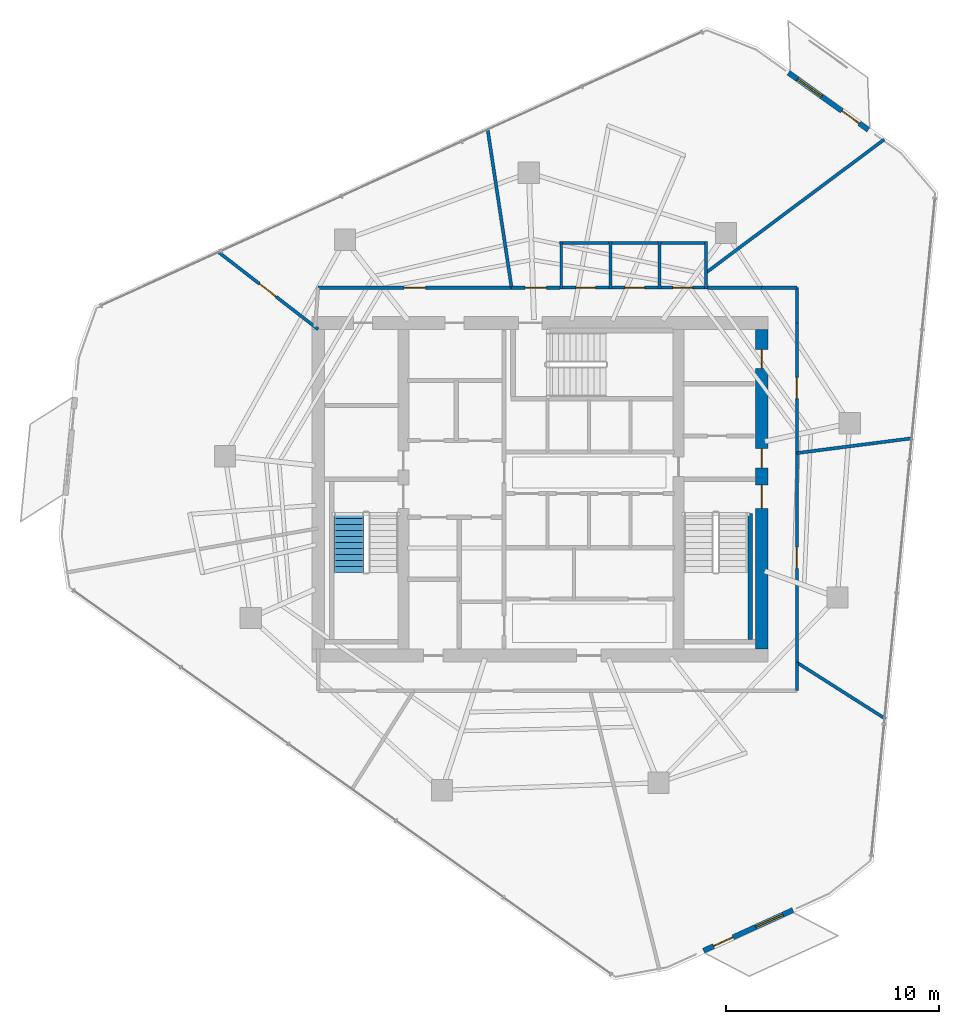
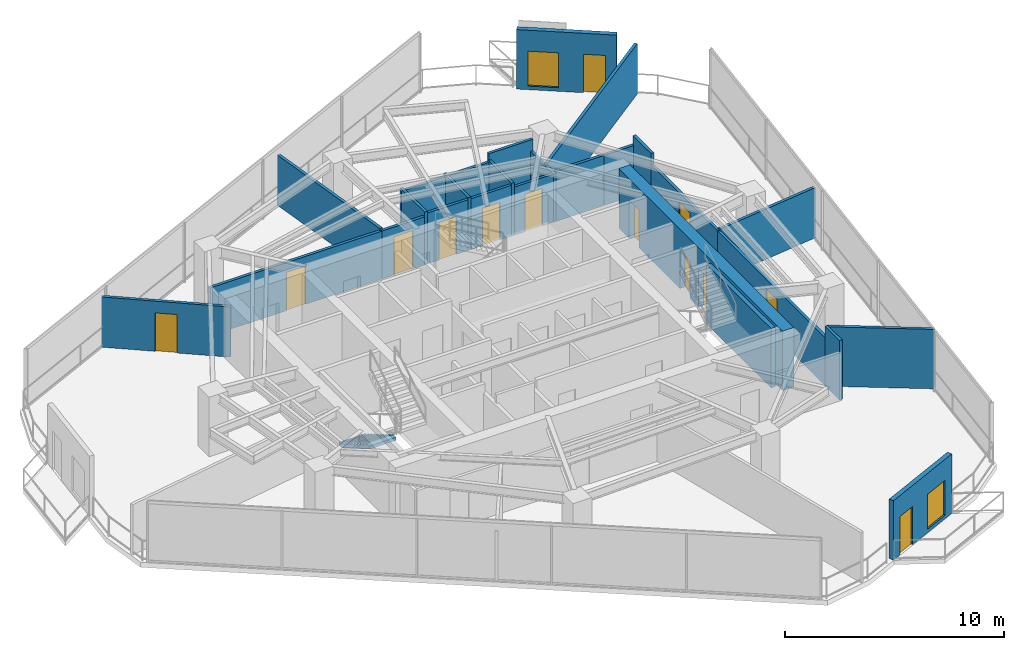
# One storey, part 18 of 21: 27 walls, 13 doors, 2 windows, 1 stair flight, 15 openings, 1 element without a shape of its own.
"""IFC4 building model written with IfcOpenShell, lengths in metres."""

from ifc_helpers import new_model, si_unit, direction, frame, frame_2d, origin, place, context, subcontext, project, spatial, polyline, rectangle, outline, extrude, material, layer, layer_set, type_object, element, fill, aggregate, save


model = new_model("IFC4")

# Units and contexts
model_context = context("Model", 3, precision=1e-05, world=origin(), true_north=direction((0.0, 1.0)))
body_context = subcontext(model_context, "Body", "Model", "MODEL_VIEW")
ifc_project = project(units=[si_unit("LENGTHUNIT", "METRE"), si_unit("AREAUNIT", "SQUARE_METRE"), si_unit("VOLUMEUNIT", "CUBIC_METRE"), si_unit("PLANEANGLEUNIT", "RADIAN"), si_unit("MASSUNIT", "GRAM", prefix="KILO")], contexts=[model_context])

# Site, building, storey
site_placement = place(None, origin())
site = spatial("IfcSite", under=ifc_project, at=site_placement, CompositionType="ELEMENT")
building_placement = place(site_placement, origin())
building = spatial("IfcBuilding", under=site, at=building_placement, Name="Qarnah Convention Tower", CompositionType="ELEMENT")
storey_placement = place(building_placement, frame((0.0, 0.0, 158.10009765625)))
storey = spatial("IfcBuildingStorey", under=building, at=storey_placement, Name="L42", CompositionType="ELEMENT", Elevation=158.10009765625)

# Wall, openings, doors
ifc_material_1 = material(Name="Concrete C60/75", Category="concrete")
ifc_layer_1 = layer(ifc_material_1, 0.60009765625)
ifc_layer_set_1 = layer_set([ifc_layer_1], Name="Concrete C60/75")
wall_type_1 = type_object("IfcWallType", Name="WL-CORE-600", PredefinedType="SHEAR", material=ifc_layer_set_1)
wall_1_placement = place(storey_placement, frame((47.60009765625, 18.89990234375, 0.0), z_axis=(0.0, 0.0, 1.0), x_axis=(0.0, 1.0, 0.0)))
wall_1 = element("IfcWall", 1, at=wall_1_placement, inside=storey, type_object=wall_type_1, Name="L42 core east shear wall", PredefinedType="SHEAR", context=body_context, shape_type="SweptSolid", body=[
    extrude(rectangle(XDim=15.0, YDim=0.60009765625, at=frame_2d((7.5, 0.0))), origin(), (0.0, 0.0, 1.0), 3.31982421875),
])
opening_1_placement = place(wall_1_placement, frame((6.60009765625, 0.0, 0.0)))
opening_1 = element("IfcOpeningElement", 2, at=opening_1_placement, cuts=wall_1, Name="Opening D-4202", PredefinedType="OPENING", context=body_context, shape_type="SweptSolid", body=[
    extrude(rectangle(XDim=1.10009765625, YDim=2.14990234375, at=frame_2d((0.550048828125, 1.074951171875))), frame((0.0, 0.31005859375, 0.0), z_axis=(0.0, -1.0, 0.0), x_axis=(1.0, 0.0, 0.0)), (0.0, 0.0, 1.0), 0.6201171875),
])
opening_2_placement = place(wall_1_placement, frame((8.5, 0.0, 0.0)))
opening_2 = element("IfcOpeningElement", 3, at=opening_2_placement, cuts=wall_1, Name="Opening D-4206", PredefinedType="OPENING", context=body_context, shape_type="SweptSolid", body=[
    extrude(rectangle(XDim=0.89990234375, YDim=2.10009765625, at=frame_2d((0.449951171875, 1.050048828125))), frame((0.0, 0.31005859375, 0.0), z_axis=(0.0, -1.0, 0.0), x_axis=(1.0, 0.0, 0.0)), (0.0, 0.0, 1.0), 0.6201171875),
])
opening_3_placement = place(wall_1_placement, frame((13.14990234375, 0.0, 0.0)))
opening_3 = element("IfcOpeningElement", 4, at=opening_3_placement, cuts=wall_1, Name="Opening D-4212", PredefinedType="OPENING", context=body_context, shape_type="SweptSolid", body=[
    extrude(rectangle(XDim=0.89990234375, YDim=2.10009765625, at=frame_2d((0.449951171875, 1.050048828125))), frame((0.0, 0.31005859375, 0.0), z_axis=(0.0, -1.0, 0.0), x_axis=(1.0, 0.0, 0.0)), (0.0, 0.0, 1.0), 0.6201171875),
])
ifc_material_2 = material(Name="Structural steel S355JR", Category="steel")
door_type_1 = type_object("IfcDoorType", Name="DT-RISER-900", OperationType="NOTDEFINED", PredefinedType="DOOR", material=ifc_material_2)
door_1_placement = place(opening_2_placement, origin())
door_1 = element("IfcDoor", 5, at=door_1_placement, inside=storey, type_object=door_type_1, Name="Door D-4206", OperationType="SINGLE_SWING_LEFT", OverallHeight=2.10009765625, OverallWidth=0.89990234375, PredefinedType="DOOR", context=body_context, shape_type="SweptSolid", body=[
    extrude(rectangle(XDim=0.89990234375, YDim=2.10009765625, at=frame_2d((0.449951171875, 1.050048828125))), frame((0.0, 0.02490234375, 0.0), z_axis=(0.0, -1.0, 0.0), x_axis=(1.0, 0.0, 0.0)), (0.0, 0.0, 1.0), 0.050048828125),
])
fill(opening_2, door_1)
door_2_placement = place(opening_3_placement, origin())
door_2 = element("IfcDoor", 6, at=door_2_placement, inside=storey, type_object=door_type_1, Name="Door D-4212", OperationType="SINGLE_SWING_LEFT", OverallHeight=2.10009765625, OverallWidth=0.89990234375, PredefinedType="DOOR", context=body_context, shape_type="SweptSolid", body=[
    extrude(rectangle(XDim=0.89990234375, YDim=2.10009765625, at=frame_2d((0.449951171875, 1.050048828125))), frame((0.0, 0.02490234375, 0.0), z_axis=(0.0, -1.0, 0.0), x_axis=(1.0, 0.0, 0.0)), (0.0, 0.0, 1.0), 0.050048828125),
])
fill(opening_3, door_2)
door_type_2 = type_object("IfcDoorType", Name="DT-STAIR-1100", OperationType="NOTDEFINED", PredefinedType="DOOR", material=ifc_material_2)
door_3_placement = place(opening_1_placement, origin())
door_3 = element("IfcDoor", 7, at=door_3_placement, inside=storey, type_object=door_type_2, Name="Door D-4202", OperationType="SINGLE_SWING_LEFT", OverallHeight=2.14990234375, OverallWidth=1.10009765625, PredefinedType="DOOR", context=body_context, shape_type="SweptSolid", body=[
    extrude(rectangle(XDim=1.10009765625, YDim=2.14990234375, at=frame_2d((0.550048828125, 1.074951171875))), frame((0.0, 0.02490234375, 0.0), z_axis=(0.0, -1.0, 0.0), x_axis=(1.0, 0.0, 0.0)), (0.0, 0.0, 1.0), 0.050048828125),
])
fill(opening_1, door_3)

# Wall
ifc_layer_2 = layer(ifc_material_1, 0.219970703125)
ifc_layer_set_2 = layer_set([ifc_layer_2], Name="Concrete C60/75")
wall_type_2 = type_object("IfcWallType", Name="WL-CORE-STAIR-220", PredefinedType="SHEAR", material=ifc_layer_set_2)
wall_2_placement = place(storey_placement, frame((47.06005859375, 19.35009765625, 0.0), z_axis=(0.0, 0.0, 1.0), x_axis=(0.0, 1.0, 0.0)))
element("IfcWall", 8, at=wall_2_placement, inside=storey, type_object=wall_type_2, Name="L42 stair shaft shear wall SW-L42-ST2E", PredefinedType="SHEAR", context=body_context, shape_type="SweptSolid", body=[
    extrude(rectangle(XDim=5.89990234375, YDim=0.219970703125, at=frame_2d((2.949951171875, 0.0))), origin(), (0.0, 0.0, 1.0), 3.31982421875),
])

# Wall, openings, door, window
ifc_material_3 = material(Name="Precast concrete C45/55", Category="concrete")
ifc_layer_3 = layer(ifc_material_3, 0.239990234375)
ifc_layer_set_3 = layer_set([ifc_layer_3], Name="Precast concrete C45/55")
wall_type_3 = type_object("IfcWallType", Name="WL-EXT-BAL-240", PredefinedType="SOLIDWALL", material=ifc_layer_set_3)
wall_3_placement = place(storey_placement, frame((48.85595703125, 45.928955078125, 0.0), z_axis=(0.0, 0.0, 1.0), x_axis=(0.813891218782, -0.581017283726, 0.0)))
wall_3 = element("IfcWall", 9, at=wall_3_placement, inside=storey, type_object=wall_type_3, Name="L42 loggia threshold wall BAL-L42-C1", PredefinedType="SOLIDWALL", context=body_context, shape_type="SweptSolid", body=[
    extrude(rectangle(XDim=4.600341796875, YDim=0.239990234375, at=frame_2d((2.30029296875, 0.0))), origin(), (0.0, 0.0, 1.0), 3.31982421875),
])
opening_4_placement = place(wall_3_placement, frame((3.080078125, 0.0, 0.0)))
opening_4 = element("IfcOpeningElement", 10, at=opening_4_placement, cuts=wall_3, Name="Opening BD-4201", PredefinedType="OPENING", context=body_context, shape_type="SweptSolid", body=[
    extrude(rectangle(XDim=1.0, YDim=2.14990234375, at=frame_2d((0.5, 1.074951171875))), frame((0.0, 0.1298828125, 0.0), z_axis=(0.0, -1.0, 0.0), x_axis=(1.0, 0.0, 0.0)), (0.0, 0.0, 1.0), 0.260009765625),
])
opening_5_placement = place(wall_3_placement, frame((0.52001953125, 0.0, 0.199951171875)))
opening_5 = element("IfcOpeningElement", 11, at=opening_5_placement, cuts=wall_3, Name="Opening WN4", PredefinedType="OPENING", context=body_context, shape_type="SweptSolid", body=[
    extrude(rectangle(XDim=1.39990234375, YDim=1.949951171875, at=frame_2d((0.699951171875, 0.97509765625))), frame((0.0, 0.1298828125, 0.0), z_axis=(0.0, -1.0, 0.0), x_axis=(1.0, 0.0, 0.0)), (0.0, 0.0, 1.0), 0.260009765625),
])
ifc_material_4 = material(Name="Black anodised aluminium", Category="aluminium")
door_type_3 = type_object("IfcDoorType", Name="DT-BAL-1000", OperationType="NOTDEFINED", PredefinedType="DOOR", material=ifc_material_4)
door_4_placement = place(opening_4_placement, origin())
door_4 = element("IfcDoor", 12, at=door_4_placement, inside=storey, type_object=door_type_3, Name="L42 balcony terrace door BAL-L42-C1", OperationType="SINGLE_SWING_LEFT", OverallHeight=2.14990234375, OverallWidth=1.0, PredefinedType="DOOR", context=body_context, shape_type="SweptSolid", body=[
    extrude(rectangle(XDim=1.0, YDim=2.14990234375, at=frame_2d((0.5, 1.074951171875))), frame((0.0, 0.02490234375, 0.0), z_axis=(0.0, -1.0, 0.0), x_axis=(1.0, 0.0, 0.0)), (0.0, 0.0, 1.0), 0.050048828125),
])
fill(opening_4, door_4)
ifc_material_5 = material(Name="Tempered Low-E dark glass", Category="glass")
window_type = type_object("IfcWindowType", Name="WT-BAL-1400X2000", PartitioningType="SINGLE_PANEL", PredefinedType="WINDOW", material=ifc_material_5)
window_1_placement = place(opening_5_placement, origin())
window_1 = element("IfcWindow", 13, at=window_1_placement, inside=storey, type_object=window_type, Name="Window BW-BAL-L42-C1", OverallHeight=1.949951171875, OverallWidth=1.39990234375, PartitioningType="SINGLE_PANEL", PredefinedType="WINDOW", context=body_context, shape_type="SweptSolid", body=[
    extrude(rectangle(XDim=1.39990234375, YDim=1.949951171875, at=frame_2d((0.699951171875, 0.97509765625))), frame((0.0, 0.030029296875, 0.0), z_axis=(0.0, -1.0, 0.0), x_axis=(1.0, 0.0, 0.0)), (0.0, 0.0, 1.0), 0.06005859375),
])
fill(opening_5, window_1)

wall_4_placement = place(storey_placement, frame((49.06396484375, 6.6630859375, 0.0), z_axis=(0.0, 0.0, 1.0), x_axis=(-0.91013552149, -0.414310671503, 0.0)))
wall_4 = element("IfcWall", 14, at=wall_4_placement, inside=storey, type_object=wall_type_3, Name="L42 loggia threshold wall BAL-L42-C3", PredefinedType="SOLIDWALL", context=body_context, shape_type="SweptSolid", body=[
    extrude(rectangle(XDim=4.600341796875, YDim=0.239990234375, at=frame_2d((2.30029296875, 0.0))), origin(), (0.0, 0.0, 1.0), 3.31982421875),
])
opening_6_placement = place(wall_4_placement, frame((3.080078125, 0.0, 0.0)))
opening_6 = element("IfcOpeningElement", 15, at=opening_6_placement, cuts=wall_4, Name="Opening BD-4203", PredefinedType="OPENING", context=body_context, shape_type="SweptSolid", body=[
    extrude(rectangle(XDim=1.0, YDim=2.14990234375, at=frame_2d((0.5, 1.074951171875))), frame((0.0, 0.1298828125, 0.0), z_axis=(0.0, -1.0, 0.0), x_axis=(1.0, 0.0, 0.0)), (0.0, 0.0, 1.0), 0.260009765625),
])
opening_7_placement = place(wall_4_placement, frame((0.52001953125, 0.0, 0.199951171875)))
opening_7 = element("IfcOpeningElement", 16, at=opening_7_placement, cuts=wall_4, Name="Opening WN4", PredefinedType="OPENING", context=body_context, shape_type="SweptSolid", body=[
    extrude(rectangle(XDim=1.39990234375, YDim=1.949951171875, at=frame_2d((0.699951171875, 0.97509765625))), frame((0.0, 0.1298828125, 0.0), z_axis=(0.0, -1.0, 0.0), x_axis=(1.0, 0.0, 0.0)), (0.0, 0.0, 1.0), 0.260009765625),
])
door_5_placement = place(opening_6_placement, origin())
door_5 = element("IfcDoor", 17, at=door_5_placement, inside=storey, type_object=door_type_3, Name="L42 balcony terrace door BAL-L42-C3", OperationType="SINGLE_SWING_LEFT", OverallHeight=2.14990234375, OverallWidth=1.0, PredefinedType="DOOR", context=body_context, shape_type="SweptSolid", body=[
    extrude(rectangle(XDim=1.0, YDim=2.14990234375, at=frame_2d((0.5, 1.074951171875))), frame((0.0, 0.02490234375, 0.0), z_axis=(0.0, -1.0, 0.0), x_axis=(1.0, 0.0, 0.0)), (0.0, 0.0, 1.0), 0.050048828125),
])
fill(opening_6, door_5)
window_2_placement = place(opening_7_placement, origin())
window_2 = element("IfcWindow", 18, at=window_2_placement, inside=storey, type_object=window_type, Name="Window BW-BAL-L42-C3", OverallHeight=1.949951171875, OverallWidth=1.39990234375, PartitioningType="SINGLE_PANEL", PredefinedType="WINDOW", context=body_context, shape_type="SweptSolid", body=[
    extrude(rectangle(XDim=1.39990234375, YDim=1.949951171875, at=frame_2d((0.699951171875, 0.97509765625))), frame((0.0, 0.030029296875, 0.0), z_axis=(0.0, -1.0, 0.0), x_axis=(1.0, 0.0, 0.0)), (0.0, 0.0, 1.0), 0.06005859375),
])
fill(opening_7, window_2)

# Walls
ifc_material_6 = material(Name="Gypsum partition board")
ifc_layer_4 = layer(ifc_material_6, 0.14990234375)
ifc_layer_set_4 = layer_set([ifc_layer_4], Name="Gypsum partition board")
wall_type_4 = type_object("IfcWallType", Name="WL-SUITE-150", PredefinedType="PARTITIONING", material=ifc_layer_set_4)
wall_5_placement = place(storey_placement, frame((53.344970703125, 42.799072265625, 0.0), z_axis=(0.0, 0.0, 1.0), x_axis=(-0.80104213023, -0.598607973215, 0.0)))
element("IfcWall", 19, at=wall_5_placement, inside=storey, type_object=wall_type_4, Name="L42 interior wall IW-L42-R-11", PredefinedType="PARTITIONING", context=body_context, shape_type="SweptSolid", body=[
    extrude(rectangle(XDim=10.417724609375, YDim=0.14990234375, at=frame_2d((5.208984375, 0.0))), origin(), (0.0, 0.0, 1.0), 2.804931640625),
])
wall_6_placement = place(storey_placement, frame((45.070068359375, 35.85009765625, 0.0), z_axis=(0.0, 0.0, 1.0), x_axis=(1.0, 0.0, 0.0)))
element("IfcWall", 20, at=wall_6_placement, inside=storey, type_object=wall_type_4, Name="L42 interior wall IW-L42-R-12", PredefinedType="PARTITIONING", context=body_context, shape_type="SweptSolid", body=[
    extrude(rectangle(XDim=2.530029296875, YDim=0.14990234375, at=frame_2d((1.26513671875, 0.0))), origin(), (0.0, 0.0, 1.0), 2.804931640625),
])
wall_7_placement = place(storey_placement, frame((47.60009765625, 35.85009765625, 0.0), z_axis=(0.0, 0.0, 1.0), x_axis=(1.0, 0.0, 0.0)))
element("IfcWall", 21, at=wall_7_placement, inside=storey, type_object=wall_type_4, Name="L42 interior wall IW-L42-R-13", PredefinedType="PARTITIONING", context=body_context, shape_type="SweptSolid", body=[
    extrude(rectangle(XDim=1.64990234375, YDim=0.14990234375, at=frame_2d((0.824951171875, 0.0))), origin(), (0.0, 0.0, 1.0), 2.804931640625),
])
wall_8_placement = place(storey_placement, frame((49.25, 35.85009765625, 0.0), z_axis=(0.0, 0.0, 1.0), x_axis=(0.0, -1.0, 0.0)))
element("IfcWall", 22, at=wall_8_placement, inside=storey, type_object=wall_type_4, Name="L42 interior wall IW-L42-R-14", PredefinedType="PARTITIONING", context=body_context, shape_type="SweptSolid", body=[
    extrude(rectangle(XDim=1.650146484375, YDim=0.14990234375, at=frame_2d((0.8251953125, 0.0))), origin(), (0.0, 0.0, 1.0), 3.31982421875),
])

# Wall, opening, door
wall_9_placement = place(storey_placement, frame((49.25, 34.199951171875, 0.0), z_axis=(0.0, 0.0, 1.0), x_axis=(0.0, -1.0, 0.0)))
wall_9 = element("IfcWall", 23, at=wall_9_placement, inside=storey, type_object=wall_type_4, Name="L42 interior wall IW-L42-R-15", PredefinedType="PARTITIONING", context=body_context, shape_type="SweptSolid", body=[
    extrude(rectangle(XDim=6.10595703125, YDim=0.14990234375, at=frame_2d((3.052978515625, 0.0))), origin(), (0.0, 0.0, 1.0), 2.68701171875),
])
opening_8_placement = place(wall_9_placement, frame((2.552978515625, 0.0, 0.0)))
opening_8 = element("IfcOpeningElement", 24, at=opening_8_placement, cuts=wall_9, Name="Opening D-4221", PredefinedType="OPENING", context=body_context, shape_type="SweptSolid", body=[
    extrude(rectangle(XDim=1.0, YDim=2.14990234375, at=frame_2d((0.5, 1.074951171875))), frame((0.0, 0.0849609375, 0.0), z_axis=(0.0, -1.0, 0.0), x_axis=(1.0, 0.0, 0.0)), (0.0, 0.0, 1.0), 0.169921875),
])
ifc_material_7 = material(Name="Oak timber veneer", Category="wood")
door_type_4 = type_object("IfcDoorType", Name="DT-OFFICE-1000", OperationType="NOTDEFINED", PredefinedType="DOOR", material=ifc_material_7)
door_6_placement = place(opening_8_placement, origin())
door_6 = element("IfcDoor", 25, at=door_6_placement, inside=storey, type_object=door_type_4, Name="Door D-4221", OperationType="SINGLE_SWING_RIGHT", OverallHeight=2.14990234375, OverallWidth=1.0, PredefinedType="DOOR", context=body_context, shape_type="SweptSolid", body=[
    extrude(rectangle(XDim=1.0, YDim=2.14990234375, at=frame_2d((0.5, 1.074951171875))), frame((0.0, 0.02490234375, 0.0), z_axis=(0.0, -1.0, 0.0), x_axis=(1.0, 0.0, 0.0)), (0.0, 0.0, 1.0), 0.050048828125),
])
fill(opening_8, door_6)

# Walls
wall_10_placement = place(storey_placement, frame((49.25, 28.093994140625, 0.0), z_axis=(0.0, 0.0, 1.0), x_axis=(0.991867240359, 0.127276775191, 0.0)))
element("IfcWall", 26, at=wall_10_placement, inside=storey, type_object=wall_type_4, Name="L42 interior wall IW-L42-R-16", PredefinedType="PARTITIONING", context=body_context, shape_type="SweptSolid", body=[
    extrude(rectangle(XDim=5.476318359375, YDim=0.14990234375, at=frame_2d((2.73828125, 0.0))), origin(), (0.0, 0.0, 1.0), 2.804931640625),
])
wall_11_placement = place(storey_placement, frame((34.742919921875, 43.31005859375, 0.0), z_axis=(0.0, 0.0, 1.0), x_axis=(0.14965680293, -0.988738004396, 0.0)))
element("IfcWall", 27, at=wall_11_placement, inside=storey, type_object=wall_type_4, Name="L42 interior wall IW-L42-R-17", PredefinedType="PARTITIONING", context=body_context, shape_type="SweptSolid", body=[
    extrude(rectangle(XDim=7.544921875, YDim=0.14990234375, at=frame_2d((3.7724609375, 0.0))), origin(), (0.0, 0.0, 1.0), 2.804931640625),
])

# Wall, opening, door
wall_12_placement = place(storey_placement, frame((35.8720703125, 35.85009765625, 0.0), z_axis=(0.0, 0.0, 1.0), x_axis=(1.0, 0.0, 0.0)))
wall_12 = element("IfcWall", 28, at=wall_12_placement, inside=storey, type_object=wall_type_4, Name="L42 interior wall IW-L42-R-18", PredefinedType="PARTITIONING", context=body_context, shape_type="SweptSolid", body=[
    extrude(rectangle(XDim=2.2578125, YDim=0.14990234375, at=frame_2d((1.12890625, 0.0))), origin(), (0.0, 0.0, 1.0), 2.68701171875),
])
opening_9_placement = place(wall_12_placement, frame((0.62890625, 0.0, 0.0)))
opening_9 = element("IfcOpeningElement", 29, at=opening_9_placement, cuts=wall_12, Name="Opening D-4222", PredefinedType="OPENING", context=body_context, shape_type="SweptSolid", body=[
    extrude(rectangle(XDim=1.0, YDim=2.14990234375, at=frame_2d((0.5, 1.074951171875))), frame((0.0, 0.0849609375, 0.0), z_axis=(0.0, -1.0, 0.0), x_axis=(1.0, 0.0, 0.0)), (0.0, 0.0, 1.0), 0.169921875),
])
door_7_placement = place(opening_9_placement, origin())
door_7 = element("IfcDoor", 30, at=door_7_placement, inside=storey, type_object=door_type_4, Name="Door D-4222", OperationType="SINGLE_SWING_LEFT", OverallHeight=2.14990234375, OverallWidth=1.0, PredefinedType="DOOR", context=body_context, shape_type="SweptSolid", body=[
    extrude(rectangle(XDim=1.0, YDim=2.14990234375, at=frame_2d((0.5, 1.074951171875))), frame((0.0, 0.02490234375, 0.0), z_axis=(0.0, -1.0, 0.0), x_axis=(1.0, 0.0, 0.0)), (0.0, 0.0, 1.0), 0.050048828125),
])
fill(opening_9, door_7)

wall_13_placement = place(storey_placement, frame((22.08203125, 37.552978515625, 0.0), z_axis=(0.0, 0.0, 1.0), x_axis=(0.790689845395, -0.612216929192, 0.0)))
wall_13 = element("IfcWall", 31, at=wall_13_placement, inside=storey, type_object=wall_type_4, Name="L42 interior wall IW-L42-R-19", PredefinedType="PARTITIONING", context=body_context, shape_type="SweptSolid", body=[
    extrude(rectangle(XDim=5.967041015625, YDim=0.14990234375, at=frame_2d((2.9833984375, 0.0))), origin(), (0.0, 0.0, 1.0), 2.804931640625),
])
opening_10_placement = place(wall_13_placement, frame((2.48291015625, 0.0, 0.0)))
opening_10 = element("IfcOpeningElement", 32, at=opening_10_placement, cuts=wall_13, Name="Opening D-4224", PredefinedType="OPENING", context=body_context, shape_type="SweptSolid", body=[
    extrude(rectangle(XDim=1.0, YDim=2.14990234375, at=frame_2d((0.5, 1.074951171875))), frame((0.0, 0.0849609375, 0.0), z_axis=(0.0, -1.0, 0.0), x_axis=(1.0, 0.0, 0.0)), (0.0, 0.0, 1.0), 0.169921875),
])
door_8_placement = place(opening_10_placement, origin())
door_8 = element("IfcDoor", 33, at=door_8_placement, inside=storey, type_object=door_type_4, Name="Door D-4224", OperationType="SINGLE_SWING_LEFT", OverallHeight=2.14990234375, OverallWidth=1.0, PredefinedType="DOOR", context=body_context, shape_type="SweptSolid", body=[
    extrude(rectangle(XDim=1.0, YDim=2.14990234375, at=frame_2d((0.5, 1.074951171875))), frame((0.0, 0.02490234375, 0.0), z_axis=(0.0, -1.0, 0.0), x_axis=(1.0, 0.0, 0.0)), (0.0, 0.0, 1.0), 0.050048828125),
])
fill(opening_10, door_8)

wall_14_placement = place(storey_placement, frame((26.800048828125, 35.85009765625, 0.0), z_axis=(0.0, 0.0, 1.0), x_axis=(1.0, 0.0, 0.0)))
wall_14 = element("IfcWall", 34, at=wall_14_placement, inside=storey, type_object=wall_type_4, Name="L42 interior wall IW-L42-R-21", PredefinedType="PARTITIONING", context=body_context, shape_type="SweptSolid", body=[
    extrude(rectangle(XDim=9.072021484375, YDim=0.14990234375, at=frame_2d((4.5361328125, 0.0))), origin(), (0.0, 0.0, 1.0), 2.68701171875),
])
opening_11_placement = place(wall_14_placement, frame((4.035888671875, 0.0, 0.0)))
opening_11 = element("IfcOpeningElement", 35, at=opening_11_placement, cuts=wall_14, Name="Opening D-4223", PredefinedType="OPENING", context=body_context, shape_type="SweptSolid", body=[
    extrude(rectangle(XDim=1.0, YDim=2.14990234375, at=frame_2d((0.5, 1.074951171875))), frame((0.0, 0.0849609375, 0.0), z_axis=(0.0, -1.0, 0.0), x_axis=(1.0, 0.0, 0.0)), (0.0, 0.0, 1.0), 0.169921875),
])
door_9_placement = place(opening_11_placement, origin())
door_9 = element("IfcDoor", 36, at=door_9_placement, inside=storey, type_object=door_type_4, Name="Door D-4223", OperationType="SINGLE_SWING_RIGHT", OverallHeight=2.14990234375, OverallWidth=1.0, PredefinedType="DOOR", context=body_context, shape_type="SweptSolid", body=[
    extrude(rectangle(XDim=1.0, YDim=2.14990234375, at=frame_2d((0.5, 1.074951171875))), frame((0.0, 0.02490234375, 0.0), z_axis=(0.0, -1.0, 0.0), x_axis=(1.0, 0.0, 0.0)), (0.0, 0.0, 1.0), 0.050048828125),
])
fill(opening_11, door_9)

# Walls
wall_15_placement = place(storey_placement, frame((53.416015625, 15.6220703125, 0.0), z_axis=(0.0, 0.0, 1.0), x_axis=(-0.843771417917, 0.5367027057, 0.0)))
element("IfcWall", 37, at=wall_15_placement, inside=storey, type_object=wall_type_4, Name="L42 interior wall IW-L42-R-28", PredefinedType="PARTITIONING", context=body_context, shape_type="SweptSolid", body=[
    extrude(rectangle(XDim=4.937255859375, YDim=0.14990234375, at=frame_2d((2.46875, 0.0))), origin(), (0.0, 0.0, 1.0), 3.31982421875),
])
wall_16_placement = place(storey_placement, frame((49.25, 18.27197265625, 0.0), z_axis=(0.0, 0.0, 1.0), x_axis=(0.0, -1.0, 0.0)))
element("IfcWall", 38, at=wall_16_placement, inside=storey, type_object=wall_type_4, Name="L42 interior wall IW-L42-R-29", PredefinedType="PARTITIONING", context=body_context, shape_type="SweptSolid", body=[
    extrude(rectangle(XDim=1.322021484375, YDim=0.14990234375, at=frame_2d((0.6611328125, 0.0))), origin(), (0.0, 0.0, 1.0), 3.31982421875),
])

# Wall, opening, door
wall_17_placement = place(storey_placement, frame((49.25, 28.093994140625, 0.0), z_axis=(0.0, 0.0, 1.0), x_axis=(0.0, -1.0, 0.0)))
wall_17 = element("IfcWall", 39, at=wall_17_placement, inside=storey, type_object=wall_type_4, Name="L42 interior wall IW-L42-R-31", PredefinedType="PARTITIONING", context=body_context, shape_type="SweptSolid", body=[
    extrude(rectangle(XDim=9.822021484375, YDim=0.14990234375, at=frame_2d((4.9111328125, 0.0))), origin(), (0.0, 0.0, 1.0), 2.68701171875),
])
opening_12_placement = place(wall_17_placement, frame((4.410888671875, 0.0, 0.0)))
opening_12 = element("IfcOpeningElement", 40, at=opening_12_placement, cuts=wall_17, Name="Opening D-4228", PredefinedType="OPENING", context=body_context, shape_type="SweptSolid", body=[
    extrude(rectangle(XDim=1.0, YDim=2.14990234375, at=frame_2d((0.5, 1.074951171875))), frame((0.0, 0.0849609375, 0.0), z_axis=(0.0, -1.0, 0.0), x_axis=(1.0, 0.0, 0.0)), (0.0, 0.0, 1.0), 0.169921875),
])
door_10_placement = place(opening_12_placement, origin())
door_10 = element("IfcDoor", 41, at=door_10_placement, inside=storey, type_object=door_type_4, Name="Door D-4228", OperationType="SINGLE_SWING_LEFT", OverallHeight=2.14990234375, OverallWidth=1.0, PredefinedType="DOOR", context=body_context, shape_type="SweptSolid", body=[
    extrude(rectangle(XDim=1.0, YDim=2.14990234375, at=frame_2d((0.5, 1.074951171875))), frame((0.0, 0.02490234375, 0.0), z_axis=(0.0, -1.0, 0.0), x_axis=(1.0, 0.0, 0.0)), (0.0, 0.0, 1.0), 0.050048828125),
])
fill(opening_12, door_10)

ifc_layer_5 = layer(ifc_material_6, 0.139892578125)
ifc_layer_set_5 = layer_set([ifc_layer_5], Name="Gypsum partition board")
wall_type_5 = type_object("IfcWallType", Name="WL-WET-140", PredefinedType="PARTITIONING", material=ifc_layer_set_5)
wall_18_placement = place(storey_placement, frame((38.1298828125, 35.85009765625, 0.0), z_axis=(0.0, 0.0, 1.0), x_axis=(1.0, 0.0, 0.0)))
wall_18 = element("IfcWall", 42, at=wall_18_placement, inside=storey, type_object=wall_type_5, Name="L42 interior wall IW-L42-WCM-1", PredefinedType="PARTITIONING", context=body_context, shape_type="SweptSolid", body=[
    extrude(rectangle(XDim=2.440185546875, YDim=0.139892578125, at=frame_2d((1.22021484375, 0.0))), origin(), (0.0, 0.0, 1.0), 2.8408203125),
])
opening_13_placement = place(wall_18_placement, frame((0.760009765625, 0.0, 0.0)))
opening_13 = element("IfcOpeningElement", 43, at=opening_13_placement, cuts=wall_18, Name="Opening D-4218", PredefinedType="OPENING", context=body_context, shape_type="SweptSolid", body=[
    extrude(rectangle(XDim=0.919921875, YDim=2.10009765625, at=frame_2d((0.4599609375, 1.050048828125))), frame((0.0, 0.079833984375, 0.0), z_axis=(0.0, -1.0, 0.0), x_axis=(1.0, 0.0, 0.0)), (0.0, 0.0, 1.0), 0.159912109375),
])
door_type_5 = type_object("IfcDoorType", Name="DT-WC-920", OperationType="NOTDEFINED", PredefinedType="DOOR", material=ifc_material_7)
door_11_placement = place(opening_13_placement, origin())
door_11 = element("IfcDoor", 44, at=door_11_placement, inside=storey, type_object=door_type_5, Name="Door D-4218", OperationType="SINGLE_SWING_LEFT", OverallHeight=2.10009765625, OverallWidth=0.919921875, PredefinedType="DOOR", context=body_context, shape_type="SweptSolid", body=[
    extrude(rectangle(XDim=0.919921875, YDim=2.10009765625, at=frame_2d((0.4599609375, 1.050048828125))), frame((0.0, 0.02490234375, 0.0), z_axis=(0.0, -1.0, 0.0), x_axis=(1.0, 0.0, 0.0)), (0.0, 0.0, 1.0), 0.050048828125),
])
fill(opening_13, door_11)

# Walls
wall_19_placement = place(storey_placement, frame((40.5, 35.780029296875, 0.0), z_axis=(0.0, 0.0, 1.0), x_axis=(0.0, 1.0, 0.0)))
element("IfcWall", 45, at=wall_19_placement, inside=storey, type_object=wall_type_5, Name="L42 interior wall IW-L42-WCM-2", PredefinedType="PARTITIONING", context=body_context, shape_type="SweptSolid", body=[
    extrude(rectangle(XDim=2.239990234375, YDim=0.139892578125, at=frame_2d((1.1201171875, 0.0))), origin(), (0.0, 0.0, 1.0), 2.948974609375),
])
wall_20_placement = place(storey_placement, frame((40.570068359375, 37.949951171875, 0.0), z_axis=(0.0, 0.0, 1.0), x_axis=(-1.0, 0.0, 0.0)))
element("IfcWall", 46, at=wall_20_placement, inside=storey, type_object=wall_type_5, Name="L42 interior wall IW-L42-WCM-3", PredefinedType="PARTITIONING", context=body_context, shape_type="SweptSolid", body=[
    extrude(rectangle(XDim=2.440185546875, YDim=0.139892578125, at=frame_2d((1.22021484375, 0.0))), origin(), (0.0, 0.0, 1.0), 2.8408203125),
])
wall_21_placement = place(storey_placement, frame((38.199951171875, 38.02001953125, 0.0), z_axis=(0.0, 0.0, 1.0), x_axis=(0.0, -1.0, 0.0)))
element("IfcWall", 47, at=wall_21_placement, inside=storey, type_object=wall_type_5, Name="L42 interior wall IW-L42-WCM-4", PredefinedType="PARTITIONING", context=body_context, shape_type="SweptSolid", body=[
    extrude(rectangle(XDim=2.239990234375, YDim=0.139892578125, at=frame_2d((1.1201171875, 0.0))), origin(), (0.0, 0.0, 1.0), 2.948974609375),
])

# Wall, opening, door
wall_22_placement = place(storey_placement, frame((40.429931640625, 35.85009765625, 0.0), z_axis=(0.0, 0.0, 1.0), x_axis=(1.0, 0.0, 0.0)))
wall_22 = element("IfcWall", 48, at=wall_22_placement, inside=storey, type_object=wall_type_5, Name="L42 interior wall IW-L42-WCF-1", PredefinedType="PARTITIONING", context=body_context, shape_type="SweptSolid", body=[
    extrude(rectangle(XDim=2.440185546875, YDim=0.139892578125, at=frame_2d((1.22021484375, 0.0))), origin(), (0.0, 0.0, 1.0), 2.8408203125),
])
opening_14_placement = place(wall_22_placement, frame((0.760009765625, 0.0, 0.0)))
opening_14 = element("IfcOpeningElement", 49, at=opening_14_placement, cuts=wall_22, Name="Opening D-4219", PredefinedType="OPENING", context=body_context, shape_type="SweptSolid", body=[
    extrude(rectangle(XDim=0.919921875, YDim=2.10009765625, at=frame_2d((0.4599609375, 1.050048828125))), frame((0.0, 0.079833984375, 0.0), z_axis=(0.0, -1.0, 0.0), x_axis=(1.0, 0.0, 0.0)), (0.0, 0.0, 1.0), 0.159912109375),
])
door_12_placement = place(opening_14_placement, origin())
door_12 = element("IfcDoor", 50, at=door_12_placement, inside=storey, type_object=door_type_5, Name="Door D-4219", OperationType="SINGLE_SWING_RIGHT", OverallHeight=2.10009765625, OverallWidth=0.919921875, PredefinedType="DOOR", context=body_context, shape_type="SweptSolid", body=[
    extrude(rectangle(XDim=0.919921875, YDim=2.10009765625, at=frame_2d((0.4599609375, 1.050048828125))), frame((0.0, 0.02490234375, 0.0), z_axis=(0.0, -1.0, 0.0), x_axis=(1.0, 0.0, 0.0)), (0.0, 0.0, 1.0), 0.050048828125),
])
fill(opening_14, door_12)

# Walls
wall_23_placement = place(storey_placement, frame((42.800048828125, 35.780029296875, 0.0), z_axis=(0.0, 0.0, 1.0), x_axis=(0.0, 1.0, 0.0)))
element("IfcWall", 51, at=wall_23_placement, inside=storey, type_object=wall_type_5, Name="L42 interior wall IW-L42-WCF-2", PredefinedType="PARTITIONING", context=body_context, shape_type="SweptSolid", body=[
    extrude(rectangle(XDim=2.239990234375, YDim=0.139892578125, at=frame_2d((1.1201171875, 0.0))), origin(), (0.0, 0.0, 1.0), 2.948974609375),
])
wall_24_placement = place(storey_placement, frame((42.8701171875, 37.949951171875, 0.0), z_axis=(0.0, 0.0, 1.0), x_axis=(-1.0, 0.0, 0.0)))
element("IfcWall", 52, at=wall_24_placement, inside=storey, type_object=wall_type_5, Name="L42 interior wall IW-L42-WCF-3", PredefinedType="PARTITIONING", context=body_context, shape_type="SweptSolid", body=[
    extrude(rectangle(XDim=2.440185546875, YDim=0.139892578125, at=frame_2d((1.22021484375, 0.0))), origin(), (0.0, 0.0, 1.0), 2.8408203125),
])

# Wall, opening, door
wall_25_placement = place(storey_placement, frame((42.72998046875, 35.85009765625, 0.0), z_axis=(0.0, 0.0, 1.0), x_axis=(1.0, 0.0, 0.0)))
wall_25 = element("IfcWall", 53, at=wall_25_placement, inside=storey, type_object=wall_type_5, Name="L42 interior wall IW-L42-WCA-1", PredefinedType="PARTITIONING", context=body_context, shape_type="SweptSolid", body=[
    extrude(rectangle(XDim=2.340087890625, YDim=0.139892578125, at=frame_2d((1.169921875, 0.0))), origin(), (0.0, 0.0, 1.0), 2.68701171875),
])
opening_15_placement = place(wall_25_placement, frame((0.7099609375, 0.0, 0.0)))
opening_15 = element("IfcOpeningElement", 54, at=opening_15_placement, cuts=wall_25, Name="Opening D-4220", PredefinedType="OPENING", context=body_context, shape_type="SweptSolid", body=[
    extrude(rectangle(XDim=0.919921875, YDim=2.10009765625, at=frame_2d((0.4599609375, 1.050048828125))), frame((0.0, 0.079833984375, 0.0), z_axis=(0.0, -1.0, 0.0), x_axis=(1.0, 0.0, 0.0)), (0.0, 0.0, 1.0), 0.159912109375),
])
door_13_placement = place(opening_15_placement, origin())
door_13 = element("IfcDoor", 55, at=door_13_placement, inside=storey, type_object=door_type_5, Name="Door D-4220", OperationType="SINGLE_SWING_LEFT", OverallHeight=2.10009765625, OverallWidth=0.919921875, PredefinedType="DOOR", context=body_context, shape_type="SweptSolid", body=[
    extrude(rectangle(XDim=0.919921875, YDim=2.10009765625, at=frame_2d((0.4599609375, 1.050048828125))), frame((0.0, 0.02490234375, 0.0), z_axis=(0.0, -1.0, 0.0), x_axis=(1.0, 0.0, 0.0)), (0.0, 0.0, 1.0), 0.050048828125),
])
fill(opening_15, door_13)

# Walls
wall_26_placement = place(storey_placement, frame((45.0, 35.780029296875, 0.0), z_axis=(0.0, 0.0, 1.0), x_axis=(0.0, 1.0, 0.0)))
element("IfcWall", 56, at=wall_26_placement, inside=storey, type_object=wall_type_5, Name="L42 interior wall IW-L42-WCA-2", PredefinedType="PARTITIONING", context=body_context, shape_type="SweptSolid", body=[
    extrude(rectangle(XDim=2.239990234375, YDim=0.139892578125, at=frame_2d((1.1201171875, 0.0))), origin(), (0.0, 0.0, 1.0), 2.68701171875),
])
wall_27_placement = place(storey_placement, frame((45.070068359375, 37.949951171875, 0.0), z_axis=(0.0, 0.0, 1.0), x_axis=(-1.0, 0.0, 0.0)))
element("IfcWall", 57, at=wall_27_placement, inside=storey, type_object=wall_type_5, Name="L42 interior wall IW-L42-WCA-3", PredefinedType="PARTITIONING", context=body_context, shape_type="SweptSolid", body=[
    extrude(rectangle(XDim=2.340087890625, YDim=0.139892578125, at=frame_2d((1.169921875, 0.0))), origin(), (0.0, 0.0, 1.0), 3.31982421875),
])

# Stair, stair flight
ifc_material_8 = material(Name="Concrete C50/60", Category="concrete")
stair_type = type_object("IfcStairType", Name="STR-OFF", PredefinedType="HALF_TURN_STAIR", material=ifc_material_8)
stair_placement = place(storey_placement, origin())
stair = element("IfcStair", 58, at=stair_placement, inside=storey, type_object=stair_type, Name="L42 Core exit stair ST-1", PredefinedType="HALF_TURN_STAIR")
stair_flight_type = type_object("IfcStairFlightType", Name="FLT-OFF", PredefinedType="STRAIGHT", material=ifc_material_8)
stair_flight_placement = place(storey_placement, frame((28.25, 25.300048828125, 0.0), z_axis=(0.0, 0.0, 1.0), x_axis=(0.0, -1.0, 0.0)))
stair_flight = element("IfcStairFlight", 59, at=stair_flight_placement, type_object=stair_flight_type, Name="ST-1 flight 1", NumberOfRisers=11, NumberOfTreads=10, PredefinedType="STRAIGHT", RiserHeight=0.163636364, TreadLength=0.28, context=body_context, shape_type="SweptSolid", body=[
    extrude(outline(polyline([(0.0, 0.0), (0.0, 0.16357421875), (0.280029296875, 0.16357421875), (0.280029296875, 0.327392578125), (0.56005859375, 0.327392578125), (0.56005859375, 0.490966796875), (0.840087890625, 0.490966796875), (0.840087890625, 0.654541015625), (1.1201171875, 0.654541015625), (1.1201171875, 0.818115234375), (1.39990234375, 0.818115234375), (1.39990234375, 0.98193359375), (1.679931640625, 0.98193359375), (1.679931640625, 1.1455078125), (1.9599609375, 1.1455078125), (1.9599609375, 1.30908203125), (2.239990234375, 1.30908203125), (2.239990234375, 1.47265625), (2.52001953125, 1.47265625), (2.52001953125, 1.636474609375), (2.800048828125, 1.636474609375), (2.800048828125, 1.800048828125), (2.800048828125, 1.462646484375), (0.297119140625, 0.0), (0.0, 0.0)])), frame((0.0, 0.699951171875, 0.0), z_axis=(0.0, -1.0, 0.0), x_axis=(1.0, 0.0, 0.0)), (0.0, 0.0, 1.0), 1.39990234375),
])
aggregate(stair, [stair_flight])

save(model, "model.ifc")
